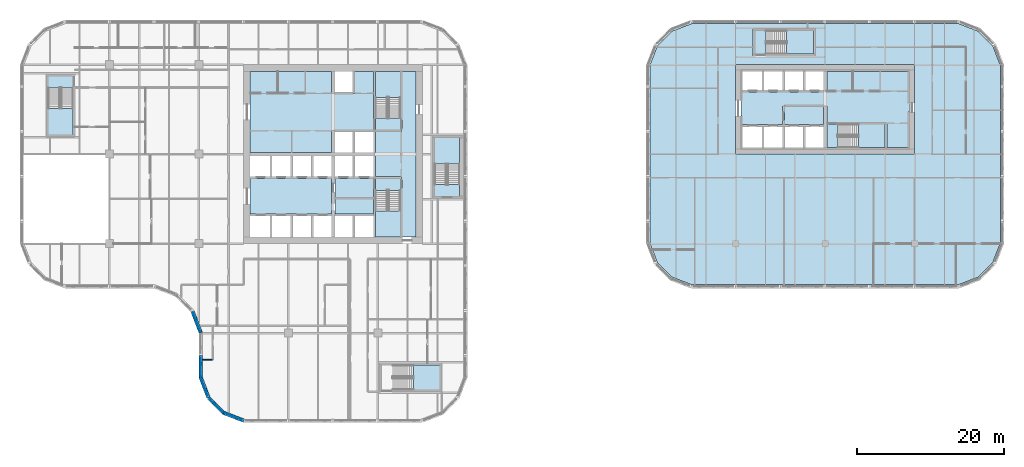
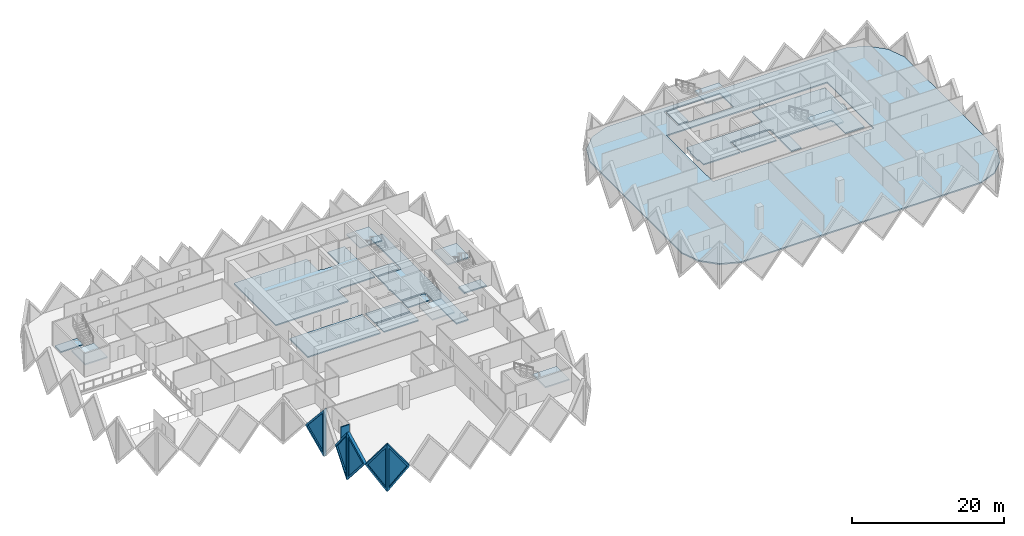
# One storey, part 3 of 18: 21 slabs, 6 walls, 5 plates, 5 openings, 7 elements without a shape of their own.
"""IFC4 building model written with IfcOpenShell, lengths in metres."""

import ifcopenshell
import ifcopenshell.guid

model = None  # the IFC model being written
_history = None  # IfcOwnerHistory: only IFC2X3 demands one
_inside = {}  # id of a spatial element -> (the spatial element, [elements in it])
_under = {}  # id of a project, library or spatial element -> (it, [spatial elements below it])
_declared = {}  # id of a project -> (the project, [libraries it declares])
_typed = {}  # id of a type object -> (the type object, [elements of that type])
_made_of = {}  # id of a material, layer set ... -> (it, [elements and type objects made of it])


def new_model(schema):
    """Start an empty IFC model of exactly this schema.

    Asked for "IFC4X3", IfcOpenShell would pick the latest addendum, in which some entities
    have other attributes; the version numbers below select the first issue.
    IFC2X3 requires an IfcOwnerHistory on every rooted entity: one is made here for all.
    """
    global model, _history
    if schema == "IFC4X3":
        model = ifcopenshell.file(schema_version=(4, 3, 0, 0))
    else:
        model = ifcopenshell.file(schema=schema)
    _inside.clear()
    _under.clear()
    _declared.clear()
    _typed.clear()
    _made_of.clear()
    _history = None
    if model.schema == "IFC2X3":
        org = make("IfcOrganization", Name="unknown")
        user = make(
            "IfcPersonAndOrganization",
            ThePerson=make("IfcPerson", FamilyName="unknown"),
            TheOrganization=org,
        )
        app = make(
            "IfcApplication",
            ApplicationDeveloper=org,
            Version="unknown",
            ApplicationFullName="unknown",
            ApplicationIdentifier="unknown",
        )
        _history = make(
            "IfcOwnerHistory",
            OwningUser=user,
            OwningApplication=app,
            ChangeAction="ADDED",
            CreationDate=0,
        )
    return model


def make(cls, **values):
    """One entity of the class cls with the attributes given. An attribute that is None is left unset."""
    return model.create_entity(
        cls, **{name: value for name, value in values.items() if value is not None}
    )


def rooted(cls, **values):
    """An entity with a GlobalId (a new one), such as an element, a storey or a relation."""
    return make(cls, GlobalId=ifcopenshell.guid.new(), OwnerHistory=_history, **values)


def si_unit(unit_type, name, prefix=None):
    """IfcSIUnit, for example si_unit("LENGTHUNIT", "METRE", prefix="MILLI")."""
    return make("IfcSIUnit", UnitType=unit_type, Prefix=prefix, Name=name)


def assignment(units):
    """IfcUnitAssignment: the units of a project."""
    return None if units is None else make("IfcUnitAssignment", Units=units)


def point(xyz):
    """IfcCartesianPoint."""
    return None if xyz is None else make("IfcCartesianPoint", Coordinates=xyz)


def direction(xyz):
    """IfcDirection."""
    return None if xyz is None else make("IfcDirection", DirectionRatios=xyz)


def frame(location, z_axis=None, x_axis=None):
    """IfcAxis2Placement3D, a coordinate frame: its origin and axes. An axis left out is left unset."""
    return make(
        "IfcAxis2Placement3D",
        Location=point(location),
        Axis=direction(z_axis),
        RefDirection=direction(x_axis),
    )


def frame_2d(location, x_axis=None):
    """IfcAxis2Placement2D, a coordinate frame in the plane: its origin and x axis."""
    return make(
        "IfcAxis2Placement2D", Location=point(location), RefDirection=direction(x_axis)
    )


def origin():
    """The frame at (0, 0, 0) with its axes left unset."""
    return frame((0.0, 0.0, 0.0))


def place(relative_to, where):
    """IfcLocalPlacement: puts the frame where relative to a parent placement (None: the world)."""
    return make(
        "IfcLocalPlacement", PlacementRelTo=relative_to, RelativePlacement=where
    )


def context(
    kind, dimensions, precision=None, world=None, true_north=None, identifier=None
):
    """IfcGeometricRepresentationContext, for example the 3D "Model" context."""
    return make(
        "IfcGeometricRepresentationContext",
        ContextIdentifier=identifier,
        ContextType=kind,
        CoordinateSpaceDimension=dimensions,
        Precision=precision,
        WorldCoordinateSystem=world,
        TrueNorth=true_north,
    )


def subcontext(parent, identifier, kind, view, scale=None):
    """IfcGeometricRepresentationSubContext, for example "Body" below "Model"."""
    return make(
        "IfcGeometricRepresentationSubContext",
        ContextIdentifier=identifier,
        ContextType=kind,
        ParentContext=parent,
        TargetScale=scale,
        TargetView=view,
    )


def project(units=None, contexts=None):
    """IfcProject with its units and contexts."""
    return rooted(
        "IfcProject",
        Name="project",
        RepresentationContexts=contexts,
        UnitsInContext=assignment(units),
    )


def spatial(cls, under=None, at=None, **own):
    """A site, building, storey or space (cls), placed at a placement, below another one or the project."""
    s = rooted(cls, ObjectPlacement=at, **own)
    if under is not None:
        _under.setdefault(under.id(), (under, []))[1].append(s)
    return s


def polyline(points):
    """IfcPolyline through the points."""
    return make("IfcPolyline", Points=[point(p) for p in points])


def profile(cls, at=None, kind="AREA", **sizes):
    """A parametric profile (cls). Its sizes go by their IFC names, for example OverallWidth=200.0."""
    return make(cls, ProfileType=kind, Position=at, **sizes)


def rectangle(**sizes):
    """IfcRectangleProfileDef."""
    return profile("IfcRectangleProfileDef", **sizes)


def outline(outer, holes=None, kind="AREA"):
    """IfcArbitraryClosedProfileDef: a profile drawn as a closed curve; with holes, ...WithVoids."""
    if holes is None:
        return make("IfcArbitraryClosedProfileDef", ProfileType=kind, OuterCurve=outer)
    return make(
        "IfcArbitraryProfileDefWithVoids",
        ProfileType=kind,
        OuterCurve=outer,
        InnerCurves=holes,
    )


def extrude(swept, where, along, depth):
    """IfcExtrudedAreaSolid: the profile swept, set in the frame where, extruded along a direction by depth."""
    return make(
        "IfcExtrudedAreaSolid",
        SweptArea=swept,
        Position=where,
        ExtrudedDirection=direction(along),
        Depth=depth,
    )


def faces_of(points, faces, orient=None, outer=None):
    """IfcFace entities. A face is a list of loops; a loop is a list of indices into points, from 0.

    orient and outer hold one flag for each loop. By default every Orientation is true, the
    first loop of a face is its IfcFaceOuterBound and the others are IfcFaceBound.
    """
    made = []
    for i, loops in enumerate(faces):
        bounds = []
        for j, loop in enumerate(loops):
            is_outer = j == 0 if outer is None else outer[i][j]
            bounds.append(
                make(
                    "IfcFaceOuterBound" if is_outer else "IfcFaceBound",
                    Bound=make("IfcPolyLoop", Polygon=[points[k] for k in loop]),
                    Orientation=True if orient is None else orient[i][j],
                )
            )
        made.append(make("IfcFace", Bounds=bounds))
    return made


def faceted_brep(points, faces, orient=None, outer=None, voids=None):
    """IfcFacetedBrep: a solid bounded by flat faces; with voids (closed shells), ...WithVoids."""
    shared = [point(p) for p in points]
    hull = make("IfcClosedShell", CfsFaces=faces_of(shared, faces, orient, outer))
    if voids is None:
        return make("IfcFacetedBrep", Outer=hull)
    return make(
        "IfcFacetedBrepWithVoids",
        Outer=hull,
        Voids=[
            make(cls, CfsFaces=faces_of(shared, fs, o, b)) for cls, fs, o, b in voids
        ],
    )


def shape(context_of_items, identifier, shape_type, items):
    """IfcShapeRepresentation: the items that make up one representation, for example the "Body"."""
    return make(
        "IfcShapeRepresentation",
        ContextOfItems=context_of_items,
        RepresentationIdentifier=identifier,
        RepresentationType=shape_type,
        Items=items,
    )


def source(mapping_origin, context_of_items, identifier, shape_type, items):
    """IfcRepresentationMap: a shape defined once, which mapped items show again and again."""
    return make(
        "IfcRepresentationMap",
        MappingOrigin=mapping_origin,
        MappedRepresentation=shape(context_of_items, identifier, shape_type, items),
    )


def transform(
    local_origin,
    x_axis=None,
    y_axis=None,
    z_axis=None,
    scale=None,
    scale2=None,
    scale3=None,
    uniform=True,
):
    """IfcCartesianTransformationOperator3D, or its non-uniform kind. x_axis, y_axis, z_axis: its Axis1, 2, 3."""
    if uniform:
        return make(
            "IfcCartesianTransformationOperator3D",
            Axis1=direction(x_axis),
            Axis2=direction(y_axis),
            LocalOrigin=point(local_origin),
            Scale=scale,
            Axis3=direction(z_axis),
        )
    return make(
        "IfcCartesianTransformationOperator3DnonUniform",
        Axis1=direction(x_axis),
        Axis2=direction(y_axis),
        LocalOrigin=point(local_origin),
        Scale=scale,
        Axis3=direction(z_axis),
        Scale2=scale2,
        Scale3=scale3,
    )


def mapped(mapping_source, mapping_target):
    """IfcMappedItem: shows the shape of a source again, moved by a transform."""
    return make(
        "IfcMappedItem", MappingSource=mapping_source, MappingTarget=mapping_target
    )


def material(Name=None, Category=None):
    """IfcMaterial."""
    return make("IfcMaterial", Name=Name, Category=Category)


def layer(
    of_material, thickness, ventilated=None, Name=None, Category=None, Priority=None
):
    """IfcMaterialLayer: one layer of a wall or slab, of a material (None: an air gap)."""
    return make(
        "IfcMaterialLayer",
        Material=of_material,
        LayerThickness=thickness,
        IsVentilated=ventilated,
        Name=Name,
        Category=Category,
        Priority=Priority,
    )


def layer_set(layers, Name=None):
    """IfcMaterialLayerSet."""
    return make("IfcMaterialLayerSet", MaterialLayers=layers, LayerSetName=Name)


def made_of(thing, what):
    """Note that an element or type object is made of a material, layer set ...; save() writes the relation."""
    if what is not None:
        _made_of.setdefault(what.id(), (what, []))[1].append(thing)
    return thing


def type_object(cls, material=None, **own):
    """A type object (cls), such as IfcWallType, which elements share."""
    return made_of(rooted(cls, **own), material)


def element(
    cls,
    number,
    at=None,
    inside=None,
    cuts=None,
    type_object=None,
    material=None,
    context=None,
    identifier="Body",
    shape_type=None,
    held_by="IfcProductDefinitionShape",
    body=None,
    shapes=None,
    **own,
):
    """One element of the class cls, such as IfcWall. Its Tag is "e" and its number.

    at: its placement. inside: the storey or other place that contains it. cuts: it is an
    opening in that element (IfcRelVoidsElement). A single representation is given by context,
    identifier, shape_type and body (its items); several are given by shapes. held_by: the class
    of the entity that holds the representations. save() writes the other relations.
    """
    e = rooted(cls, Tag="e%d" % number, ObjectPlacement=at, **own)
    if body is not None:
        shapes = [shape(context, identifier, shape_type, body)]
    if shapes is not None:
        e.Representation = make(held_by, Representations=shapes)
    if inside is not None:
        _inside.setdefault(inside.id(), (inside, []))[1].append(e)
    if cuts is not None:
        rooted(
            "IfcRelVoidsElement", RelatingBuildingElement=cuts, RelatedOpeningElement=e
        )
    if type_object is not None:
        _typed.setdefault(type_object.id(), (type_object, []))[1].append(e)
    return made_of(e, material)


def fill(opening, filler):
    """IfcRelFillsElement: the door or window that sits in an opening."""
    return rooted(
        "IfcRelFillsElement",
        RelatingOpeningElement=opening,
        RelatedBuildingElement=filler,
    )


def aggregate(whole, parts):
    """IfcRelAggregates: a whole, such as a stair, and the parts it consists of."""
    return rooted("IfcRelAggregates", RelatingObject=whole, RelatedObjects=parts)


def save(model, path):
    """Write the relations noted so far, then the file.

    IfcRelAggregates (storeys below a building ...), IfcRelContainedInSpatialStructure (elements
    in a storey), IfcRelDefinesByType, IfcRelAssociatesMaterial and IfcRelDeclares: one each for
    every whole, place, type object, material and project.
    """
    for whole, parts in _under.values():
        aggregate(whole, parts)
    for where, things in _inside.values():
        rooted(
            "IfcRelContainedInSpatialStructure",
            RelatedElements=things,
            RelatingStructure=where,
        )
    for kind, things in _typed.values():
        rooted("IfcRelDefinesByType", RelatedObjects=things, RelatingType=kind)
    for what, things in _made_of.values():
        rooted("IfcRelAssociatesMaterial", RelatedObjects=things, RelatingMaterial=what)
    for by, libraries in _declared.values():
        rooted("IfcRelDeclares", RelatingContext=by, RelatedDefinitions=libraries)
    model.write(path)


model = new_model("IFC4")

# Units and contexts
model_context = context("Model", 3, precision=1e-05, world=origin(), true_north=direction((0.0, 1.0)))
body_context = subcontext(model_context, "Body", "Model", "MODEL_VIEW")
ifc_project = project(units=[si_unit("LENGTHUNIT", "METRE"), si_unit("AREAUNIT", "SQUARE_METRE"), si_unit("VOLUMEUNIT", "CUBIC_METRE"), si_unit("PLANEANGLEUNIT", "RADIAN"), si_unit("MASSUNIT", "GRAM", prefix="KILO")], contexts=[model_context])

# Site, building, storey
site_placement = place(None, origin())
site = spatial("IfcSite", under=ifc_project, at=site_placement, CompositionType="ELEMENT")
building_placement = place(site_placement, origin())
building = spatial("IfcBuilding", under=site, at=building_placement, Name="Tessera Gate Towers", CompositionType="ELEMENT")
storey_placement = place(building_placement, frame((0.0, 0.0, 37.199951171875)))
storey = spatial("IfcBuildingStorey", under=building, at=storey_placement, Name="L08", CompositionType="ELEMENT", Elevation=37.199951171875)

# Slabs
ifc_material_1 = material(Name="Concrete C35/45", Category="concrete")
ifc_layer_1 = layer(ifc_material_1, 0.199951171875)
ifc_layer_set_1 = layer_set([ifc_layer_1], Name="COMPOSITE FLOOR 200")
slab_type_1 = type_object("IfcSlabType", Name="COMPOSITE FLOOR 200", PredefinedType="FLOOR", material=ifc_layer_set_1)
slab_1_placement = place(storey_placement, frame((0.0, 0.0, -0.199951171875)))
element("IfcSlab", 1, at=slab_1_placement, inside=storey, type_object=slab_type_1, Name="T2-L08", PredefinedType="FLOOR", context=body_context, shape_type="SweptSolid", body=[
    extrude(outline(polyline([(85.89990234375, 24.4931640625), (86.926025390625, 21.8330078125), (88.93310546875, 19.826171875), (91.593017578125, 18.800048828125), (128.0068359375, 18.800048828125), (130.6669921875, 19.826171875), (132.673828125, 21.8330078125), (133.699951171875, 24.4931640625), (133.699951171875, 48.706787109375), (132.673828125, 51.366943359375), (130.6669921875, 53.373779296875), (128.0068359375, 54.39990234375), (91.593017578125, 54.39990234375), (88.93310546875, 53.373779296875), (86.926025390625, 51.366943359375), (85.89990234375, 48.706787109375), (85.89990234375, 24.4931640625)]), holes=[polyline([(97.60009765625, 36.60009765625), (97.60009765625, 48.800048828125), (122.0, 48.800048828125), (122.0, 36.60009765625), (97.60009765625, 36.60009765625)]), polyline([(100.0, 50.0), (100.0, 53.699951171875), (108.5, 53.699951171875), (108.5, 50.0), (100.0, 50.0)])]), origin(), (0.0, 0.0, 1.0), 0.199951171875),
])
ifc_material_2 = material(Name="Concrete C35/45", Category="concrete")
ifc_layer_2 = layer(ifc_material_2, 0.199951171875)
ifc_layer_set_2 = layer_set([ifc_layer_2], Name="CORE FLOOR SLAB 200")
slab_type_2 = type_object("IfcSlabType", Name="CORE FLOOR SLAB 200", PredefinedType="FLOOR", material=ifc_layer_set_2)
slab_2_placement = place(storey_placement, frame((0.0, 0.0, -0.199951171875)))
element("IfcSlab", 2, at=slab_2_placement, inside=storey, type_object=slab_type_2, Name="L08 core floor slab", PredefinedType="FLOOR", context=body_context, shape_type="SweptSolid", body=[
    extrude(outline(polyline([(31.39990234375, 47.89990234375), (31.39990234375, 36.85009765625), (42.449951171875, 36.85009765625), (42.449951171875, 39.800048828125), (42.949951171875, 39.800048828125), (42.949951171875, 39.925048828125), (48.22509765625, 39.925048828125), (48.22509765625, 47.89990234375), (45.64990234375, 47.89990234375), (45.64990234375, 44.89990234375), (45.39990234375, 44.89990234375), (45.39990234375, 44.77490234375), (42.949951171875, 44.77490234375), (42.949951171875, 44.89990234375), (42.449951171875, 44.89990234375), (42.449951171875, 47.89990234375), (31.39990234375, 47.89990234375)])), origin(), (0.0, 0.0, 1.0), 0.199951171875),
])
slab_3_placement = place(storey_placement, frame((0.0, 0.0, -0.199951171875)))
element("IfcSlab", 3, at=slab_3_placement, inside=storey, type_object=slab_type_2, Name="L08 core floor slab", PredefinedType="FLOOR", context=body_context, shape_type="SweptSolid", body=[
    extrude(outline(polyline([(48.35009765625, 36.85009765625), (48.35009765625, 36.35009765625), (48.47509765625, 36.35009765625), (48.47509765625, 33.52490234375), (52.0, 33.52490234375), (52.0, 33.27490234375), (52.125, 33.27490234375), (52.125, 25.300048828125), (54.0, 25.300048828125), (54.0, 47.89990234375), (52.125, 47.89990234375), (52.125, 39.925048828125), (52.0, 39.925048828125), (52.0, 39.675048828125), (48.47509765625, 39.675048828125), (48.47509765625, 36.85009765625), (48.35009765625, 36.85009765625)])), origin(), (0.0, 0.0, 1.0), 0.199951171875),
])
slab_4_placement = place(storey_placement, frame((0.0, 0.0, -0.199951171875)))
element("IfcSlab", 4, at=slab_4_placement, inside=storey, type_object=slab_type_2, Name="L08 core floor slab", PredefinedType="FLOOR", context=body_context, shape_type="SweptSolid", body=[
    extrude(outline(polyline([(42.449951171875, 28.425048828125), (42.449951171875, 33.27490234375), (31.39990234375, 33.27490234375), (31.39990234375, 28.425048828125), (42.449951171875, 28.425048828125)])), origin(), (0.0, 0.0, 1.0), 0.199951171875),
])
slab_5_placement = place(storey_placement, frame((0.0, 0.0, -0.199951171875)))
element("IfcSlab", 5, at=slab_5_placement, inside=storey, type_object=slab_type_2, Name="L08 core floor slab", PredefinedType="FLOOR", context=body_context, shape_type="SweptSolid", body=[
    extrude(outline(polyline([(42.949951171875, 33.27490234375), (42.949951171875, 30.72509765625), (48.22509765625, 30.72509765625), (48.22509765625, 33.27490234375), (42.949951171875, 33.27490234375)])), origin(), (0.0, 0.0, 1.0), 0.199951171875),
])
slab_6_placement = place(storey_placement, frame((0.0, 0.0, -0.199951171875)))
element("IfcSlab", 6, at=slab_6_placement, inside=storey, type_object=slab_type_2, Name="L08 core floor slab", PredefinedType="FLOOR", context=body_context, shape_type="SweptSolid", body=[
    extrude(outline(polyline([(42.949951171875, 30.47509765625), (42.949951171875, 28.425048828125), (48.22509765625, 28.425048828125), (48.22509765625, 30.47509765625), (42.949951171875, 30.47509765625)])), origin(), (0.0, 0.0, 1.0), 0.199951171875),
])
slab_7_placement = place(storey_placement, frame((0.0, 0.0, -0.199951171875)))
element("IfcSlab", 7, at=slab_7_placement, inside=storey, type_object=slab_type_2, Name="L08 core floor slab", PredefinedType="FLOOR", context=body_context, shape_type="SweptSolid", body=[
    extrude(outline(polyline([(51.875, 31.675048828125), (51.875, 33.27490234375), (48.47509765625, 33.27490234375), (48.47509765625, 31.675048828125), (51.875, 31.675048828125)])), origin(), (0.0, 0.0, 1.0), 0.199951171875),
])
slab_8_placement = place(storey_placement, frame((0.0, 0.0, -0.199951171875)))
element("IfcSlab", 8, at=slab_8_placement, inside=storey, type_object=slab_type_2, Name="L08 core floor slab", PredefinedType="FLOOR", context=body_context, shape_type="SweptSolid", body=[
    extrude(outline(polyline([(48.47509765625, 41.52490234375), (48.47509765625, 39.925048828125), (51.875, 39.925048828125), (51.875, 41.52490234375), (48.47509765625, 41.52490234375)])), origin(), (0.0, 0.0, 1.0), 0.199951171875),
])
slab_9_placement = place(storey_placement, frame((0.0, 0.0, -0.199951171875)))
element("IfcSlab", 9, at=slab_9_placement, inside=storey, type_object=slab_type_2, Name="L08 ST3 floor landing", PredefinedType="FLOOR", context=body_context, shape_type="SweptSolid", body=[
    extrude(outline(polyline([(3.85009765625, 47.25), (3.85009765625, 45.64990234375), (7.25, 45.64990234375), (7.25, 47.25), (3.85009765625, 47.25)])), origin(), (0.0, 0.0, 1.0), 0.199951171875),
])
slab_10_placement = place(storey_placement, frame((0.0, 0.0, -0.199951171875)))
element("IfcSlab", 10, at=slab_10_placement, inside=storey, type_object=slab_type_2, Name="L08 ST5 floor landing", PredefinedType="FLOOR", context=body_context, shape_type="SweptSolid", body=[
    extrude(outline(polyline([(59.949951171875, 30.85009765625), (59.949951171875, 32.449951171875), (56.550048828125, 32.449951171875), (56.550048828125, 30.85009765625), (59.949951171875, 30.85009765625)])), origin(), (0.0, 0.0, 1.0), 0.199951171875),
])
slab_11_placement = place(storey_placement, frame((0.0, 0.0, -0.199951171875)))
element("IfcSlab", 11, at=slab_11_placement, inside=storey, type_object=slab_type_2, Name="L08 core floor slab", PredefinedType="FLOOR", context=body_context, shape_type="SweptSolid", body=[
    extrude(outline(polyline([(109.550048828125, 45.199951171875), (109.550048828125, 45.074951171875), (98.5, 45.074951171875), (98.5, 43.89990234375), (98.300048828125, 43.89990234375), (98.300048828125, 41.800048828125), (98.5, 41.800048828125), (98.5, 40.625), (104.02490234375, 40.625), (104.02490234375, 43.199951171875), (104.27490234375, 43.199951171875), (104.27490234375, 43.324951171875), (109.550048828125, 43.324951171875), (109.550048828125, 43.199951171875), (110.050048828125, 43.199951171875), (110.050048828125, 40.949951171875), (118.10009765625, 40.949951171875), (118.10009765625, 40.699951171875), (118.22509765625, 40.699951171875), (118.22509765625, 37.5), (121.10009765625, 37.5), (121.10009765625, 42.35009765625), (121.300048828125, 42.35009765625), (121.300048828125, 43.550048828125), (121.10009765625, 43.550048828125), (121.10009765625, 47.89990234375), (110.050048828125, 47.89990234375), (110.050048828125, 45.199951171875), (109.550048828125, 45.199951171875)])), origin(), (0.0, 0.0, 1.0), 0.199951171875),
])
slab_12_placement = place(storey_placement, frame((0.0, 0.0, -0.199951171875)))
element("IfcSlab", 12, at=slab_12_placement, inside=storey, type_object=slab_type_2, Name="L08 core floor slab", PredefinedType="FLOOR", context=body_context, shape_type="SweptSolid", body=[
    extrude(outline(polyline([(109.550048828125, 43.074951171875), (104.27490234375, 43.074951171875), (104.27490234375, 40.625), (109.550048828125, 40.625), (109.550048828125, 43.074951171875)])), origin(), (0.0, 0.0, 1.0), 0.199951171875),
])
slab_13_placement = place(storey_placement, frame((0.0, 0.0, -0.199951171875)))
element("IfcSlab", 13, at=slab_13_placement, inside=storey, type_object=slab_type_2, Name="L08 core floor slab", PredefinedType="FLOOR", context=body_context, shape_type="SweptSolid", body=[
    extrude(outline(polyline([(111.550048828125, 37.5), (111.550048828125, 40.699951171875), (110.050048828125, 40.699951171875), (110.050048828125, 37.5), (111.550048828125, 37.5)])), origin(), (0.0, 0.0, 1.0), 0.199951171875),
])
slab_14_placement = place(storey_placement, frame((0.0, 0.0, -0.199951171875)))
element("IfcSlab", 14, at=slab_14_placement, inside=storey, type_object=slab_type_2, Name="L08 ST7 floor landing", PredefinedType="FLOOR", context=body_context, shape_type="SweptSolid", body=[
    extrude(outline(polyline([(100.25, 50.25), (101.75, 50.25), (101.75, 53.449951171875), (100.25, 53.449951171875), (100.25, 50.25)])), origin(), (0.0, 0.0, 1.0), 0.199951171875),
])

# Stair, slab
ifc_material_3 = material(Name="Concrete C40/50", Category="concrete")
stair_type_1 = type_object("IfcStairType", Name="EXIT STAIR ST1 1600", PredefinedType="HALF_TURN_STAIR", material=ifc_material_3)
stair_1_placement = place(storey_placement, origin())
stair_1 = element("IfcStair", 15, at=stair_1_placement, inside=storey, type_object=stair_type_1, Name="L08 Protected Exit Stair ST1", PredefinedType="HALF_TURN_STAIR")
ifc_material_4 = material(Name="Concrete C40/50", Category="concrete")
ifc_layer_3 = layer(ifc_material_4, 0.199951171875)
ifc_layer_set_3 = layer_set([ifc_layer_3], Name="EXIT STAIR LANDING 200")
slab_type_3 = type_object("IfcSlabType", Name="EXIT STAIR LANDING 200", PredefinedType="LANDING", material=ifc_layer_set_3)
slab_15_placement = place(storey_placement, frame((0.0, 0.0, 1.699951171875)))
slab_15 = element("IfcSlab", 16, at=slab_15_placement, type_object=slab_type_3, Name="ST1 landing 1", PredefinedType="LANDING", context=body_context, shape_type="SweptSolid", body=[
    extrude(outline(polyline([(48.47509765625, 28.875), (48.47509765625, 25.300048828125), (51.875, 25.300048828125), (51.875, 28.875), (48.47509765625, 28.875)])), origin(), (0.0, 0.0, 1.0), 0.2001953125),
])
aggregate(stair_1, [slab_15])

ifc_material_5 = material(Name="Concrete C40/50", Category="concrete")
stair_type_2 = type_object("IfcStairType", Name="EXIT STAIR ST2 1600", PredefinedType="HALF_TURN_STAIR", material=ifc_material_5)
stair_2_placement = place(storey_placement, origin())
stair_2 = element("IfcStair", 17, at=stair_2_placement, inside=storey, type_object=stair_type_2, Name="L08 Protected Exit Stair ST2", PredefinedType="HALF_TURN_STAIR")
slab_16_placement = place(storey_placement, frame((0.0, 0.0, 1.699951171875)))
slab_16 = element("IfcSlab", 18, at=slab_16_placement, type_object=slab_type_3, Name="ST2 landing 1", PredefinedType="LANDING", context=body_context, shape_type="SweptSolid", body=[
    extrude(outline(polyline([(51.875, 44.324951171875), (51.875, 47.89990234375), (48.47509765625, 47.89990234375), (48.47509765625, 44.324951171875), (51.875, 44.324951171875)])), origin(), (0.0, 0.0, 1.0), 0.2001953125),
])
aggregate(stair_2, [slab_16])

ifc_material_6 = material(Name="Concrete C40/50", Category="concrete")
stair_type_3 = type_object("IfcStairType", Name="EXIT STAIR ST3 1600", PredefinedType="HALF_TURN_STAIR", material=ifc_material_6)
stair_3_placement = place(storey_placement, origin())
stair_3 = element("IfcStair", 19, at=stair_3_placement, inside=storey, type_object=stair_type_3, Name="L08 West Exit Stair ST3", PredefinedType="HALF_TURN_STAIR")
slab_17_placement = place(storey_placement, frame((0.0, 0.0, 1.699951171875)))
slab_17 = element("IfcSlab", 20, at=slab_17_placement, type_object=slab_type_3, Name="ST3 landing 1", PredefinedType="LANDING", context=body_context, shape_type="SweptSolid", body=[
    extrude(outline(polyline([(3.85009765625, 42.85009765625), (3.85009765625, 39.25), (7.25, 39.25), (7.25, 42.85009765625), (3.85009765625, 42.85009765625)])), origin(), (0.0, 0.0, 1.0), 0.2001953125),
])
aggregate(stair_3, [slab_17])

ifc_material_7 = material(Name="Concrete C40/50", Category="concrete")
stair_type_4 = type_object("IfcStairType", Name="EXIT STAIR ST4 1600", PredefinedType="HALF_TURN_STAIR", material=ifc_material_7)
stair_4_placement = place(storey_placement, origin())
stair_4 = element("IfcStair", 21, at=stair_4_placement, inside=storey, type_object=stair_type_4, Name="L08 South Exit Stair ST4", PredefinedType="HALF_TURN_STAIR")
slab_18_placement = place(storey_placement, frame((0.0, 0.0, 1.699951171875)))
slab_18 = element("IfcSlab", 22, at=slab_18_placement, type_object=slab_type_3, Name="ST4 landing 1", PredefinedType="LANDING", context=body_context, shape_type="SweptSolid", body=[
    extrude(outline(polyline([(53.64990234375, 4.449951171875), (57.25, 4.449951171875), (57.25, 7.85009765625), (53.64990234375, 7.85009765625), (53.64990234375, 4.449951171875)])), origin(), (0.0, 0.0, 1.0), 0.2001953125),
])
aggregate(stair_4, [slab_18])

ifc_material_8 = material(Name="Concrete C40/50", Category="concrete")
stair_type_5 = type_object("IfcStairType", Name="EXIT STAIR ST5 1600", PredefinedType="HALF_TURN_STAIR", material=ifc_material_8)
stair_5_placement = place(storey_placement, origin())
stair_5 = element("IfcStair", 23, at=stair_5_placement, inside=storey, type_object=stair_type_5, Name="L08 East Exit Stair ST5", PredefinedType="HALF_TURN_STAIR")
slab_19_placement = place(storey_placement, frame((0.0, 0.0, 1.699951171875)))
slab_19 = element("IfcSlab", 24, at=slab_19_placement, type_object=slab_type_3, Name="ST5 landing 1", PredefinedType="LANDING", context=body_context, shape_type="SweptSolid", body=[
    extrude(outline(polyline([(59.949951171875, 35.25), (59.949951171875, 38.85009765625), (56.550048828125, 38.85009765625), (56.550048828125, 35.25), (59.949951171875, 35.25)])), origin(), (0.0, 0.0, 1.0), 0.2001953125),
])
aggregate(stair_5, [slab_19])

ifc_material_9 = material(Name="Concrete C40/50", Category="concrete")
stair_type_6 = type_object("IfcStairType", Name="EXIT STAIR ST6 1500", PredefinedType="HALF_TURN_STAIR", material=ifc_material_9)
stair_6_placement = place(storey_placement, origin())
stair_6 = element("IfcStair", 25, at=stair_6_placement, inside=storey, type_object=stair_type_6, Name="L08 Protected Exit Stair ST6", PredefinedType="HALF_TURN_STAIR")
slab_20_placement = place(storey_placement, frame((0.0, 0.0, 1.699951171875)))
slab_20 = element("IfcSlab", 26, at=slab_20_placement, type_object=slab_type_3, Name="ST6 landing 1", PredefinedType="LANDING", context=body_context, shape_type="SweptSolid", body=[
    extrude(outline(polyline([(114.35009765625, 37.5), (117.97509765625, 37.5), (117.97509765625, 40.699951171875), (114.35009765625, 40.699951171875), (114.35009765625, 37.5)])), origin(), (0.0, 0.0, 1.0), 0.2001953125),
])
aggregate(stair_6, [slab_20])

ifc_material_10 = material(Name="Concrete C40/50", Category="concrete")
stair_type_7 = type_object("IfcStairType", Name="EXIT STAIR ST7 1500", PredefinedType="HALF_TURN_STAIR", material=ifc_material_10)
stair_7_placement = place(storey_placement, origin())
stair_7 = element("IfcStair", 27, at=stair_7_placement, inside=storey, type_object=stair_type_7, Name="L08 North Exit Stair ST7", PredefinedType="HALF_TURN_STAIR")
slab_21_placement = place(storey_placement, frame((0.0, 0.0, 1.699951171875)))
slab_21 = element("IfcSlab", 28, at=slab_21_placement, type_object=slab_type_3, Name="ST7 landing 1", PredefinedType="LANDING", context=body_context, shape_type="SweptSolid", body=[
    extrude(outline(polyline([(104.550048828125, 50.25), (108.25, 50.25), (108.25, 53.449951171875), (104.550048828125, 53.449951171875), (104.550048828125, 50.25)])), origin(), (0.0, 0.0, 1.0), 0.2001953125),
])
aggregate(stair_7, [slab_21])

# Wall
ifc_material_11 = material(Name="Gypsum board on steel studs, mineral wool", Category="steel")
ifc_layer_4 = layer(ifc_material_11, 0.14990234375)
ifc_layer_set_4 = layer_set([ifc_layer_4], Name="TENANCY WALL 150")
wall_type_1 = type_object("IfcWallType", Name="TENANCY WALL 150", PredefinedType="PARTITIONING", material=ifc_layer_set_4)
wall_1_placement = place(storey_placement, frame((24.89990234375, 8.548095703125, 0.0), z_axis=(0.0, 0.0, 1.0), x_axis=(1.0, 0.0, 0.0)))
element("IfcWall", 29, at=wall_1_placement, inside=storey, type_object=wall_type_1, Name="T1-L08-PW-006", PredefinedType="PARTITIONING", context=body_context, shape_type="SweptSolid", body=[
    extrude(rectangle(XDim=1.299072265625, YDim=0.14990234375, at=frame_2d((0.6494140625, 0.0))), origin(), (0.0, 0.0, 1.0), 3.067138671875),
])

# Wall, opening, plate
ifc_material_12 = material(Name="Precast concrete C60/75 white", Category="concrete")
ifc_layer_5 = layer(ifc_material_12, 0.5)
ifc_layer_set_5 = layer_set([ifc_layer_5], Name="TS3 corner tessera")
wall_type_2 = type_object("IfcWallType", Name="TS3 corner tessera", PredefinedType="SOLIDWALL", material=ifc_layer_set_5)
shared_shape_1 = source(origin(), body_context, "Body", "Brep", [
    faceted_brep([(3.00341796875, -0.25, 0.0), (3.050048828125, -0.25, 0.06005859375), (3.050048828125, -0.25, 7.5400390625), (3.00341796875, -0.25, 7.60009765625), (0.0, -0.25, 3.800048828125), (0.0, 0.25, 3.800048828125), (2.956787109375, 0.25, 7.541259765625), (2.956787109375, 0.25, 0.058837890625), (3.00341796875, 0.000244140625, 0.0), (3.00341796875, 0.000244140625, 7.60009765625)], [[[0, 1, 2, 3, 4]], [[5, 6, 7]], [[1, 0, 8]], [[9, 3, 2]], [[6, 5, 4, 3, 9]], [[5, 7, 8, 0, 4]], [[1, 8, 7, 6, 9, 2]]]),
])
wall_2_placement = place(storey_placement, frame((24.64990234375, 9.14990234375, -3.800048828125), z_axis=(0.0, 0.0, 1.0), x_axis=(0.0, -1.0, 0.0)))
wall_2 = element("IfcWall", 30, at=wall_2_placement, inside=storey, type_object=wall_type_2, Name="Precast corner tessera T1 TS3-0165", PredefinedType="SOLIDWALL", context=body_context, shape_type="MappedRepresentation", body=[
    mapped(shared_shape_1, transform((0.0, 0.0, 0.0), scale=1.0)),
])
shared_shape_2 = source(origin(), body_context, "Body", "SweptSolid", [
    extrude(outline(polyline([(2.803466796875, 6.94384765625), (0.318603515625, 3.800048828125), (2.803466796875, 0.65625), (2.803466796875, 6.94384765625)])), frame((0.0, 0.260009765625, 0.0), z_axis=(0.0, -1.0, 0.0), x_axis=(1.0, 0.0, 0.0)), (0.0, 0.0, 1.0), 0.52001953125),
])
opening_1_placement = place(wall_2_placement, origin())
opening_1 = element("IfcOpeningElement", 31, at=opening_1_placement, cuts=wall_2, Name="Opening T1-PL2-0184", PredefinedType="OPENING", context=body_context, shape_type="MappedRepresentation", body=[
    mapped(shared_shape_2, transform((0.0, 0.0, 0.0), scale=1.0)),
])
ifc_material_13 = material(Name="Low-e laminated glass", Category="glass")
ifc_layer_6 = layer(ifc_material_13, 0.06005859375)
ifc_layer_set_6 = layer_set([ifc_layer_6], Name="PL2 rhombic pane")
plate_type = type_object("IfcPlateType", Name="PL2 rhombic pane", PredefinedType="SHEET", material=ifc_layer_set_6)
shared_shape_3 = source(origin(), body_context, "Body", "SweptSolid", [
    extrude(outline(polyline([(2.803466796875, 6.94384765625), (0.318603515625, 3.800048828125), (2.803466796875, 0.65625), (2.803466796875, 6.94384765625)])), frame((0.0, 0.030029296875, 0.0), z_axis=(0.0, -1.0, 0.0), x_axis=(1.0, 0.0, 0.0)), (0.0, 0.0, 1.0), 0.06005859375),
])
plate_1_placement = place(opening_1_placement, origin())
plate_1 = element("IfcPlate", 32, at=plate_1_placement, inside=storey, type_object=plate_type, Name="Glass pane T1 PL2-0184", PredefinedType="SHEET", context=body_context, shape_type="MappedRepresentation", body=[
    mapped(shared_shape_3, transform((0.0, 0.0, 0.0), scale=1.0)),
])
fill(opening_1, plate_1)

shared_shape_4 = source(origin(), body_context, "Body", "Brep", [
    faceted_brep([(0.046630859375, -0.25, 0.0), (2.9970703125, -0.25, 3.800048828125), (0.046630859375, -0.25, 7.60009765625), (0.0, -0.25, 7.541259765625), (0.0, -0.25, 0.058837890625), (0.09326171875, 0.25, 7.5400390625), (2.9443359375, 0.25, 3.8681640625), (2.9443359375, 0.25, 3.73193359375), (0.09326171875, 0.25, 0.06005859375), (2.9970703125, 0.00048828125, 3.800048828125), (0.046630859375, 0.0, 0.0), (0.046630859375, 0.0, 7.60009765625)], [[[0, 1, 2, 3, 4]], [[5, 6, 7, 8]], [[8, 7, 9, 1, 0, 10]], [[6, 5, 11, 2, 1, 9]], [[3, 2, 11]], [[10, 0, 4]], [[8, 10, 4, 3, 11, 5]], [[9, 7, 6]]]),
])
wall_3_placement = place(storey_placement, frame((24.63330078125, 6.18994140625, -3.800048828125), z_axis=(0.0, 0.0, 1.0), x_axis=(0.359901446078, -0.932990326376, 0.0)))
wall_3 = element("IfcWall", 33, at=wall_3_placement, inside=storey, type_object=wall_type_2, Name="Precast corner tessera T1 TS3-0166", PredefinedType="SOLIDWALL", context=body_context, shape_type="MappedRepresentation", body=[
    mapped(shared_shape_4, transform((0.0, 0.0, 0.0), scale=1.0)),
])
shared_shape_5 = source(origin(), body_context, "Body", "SweptSolid", [
    extrude(outline(polyline([(0.24658203125, 0.665283203125), (2.6806640625, 3.800048828125), (0.24658203125, 6.934814453125), (0.24658203125, 0.665283203125)])), frame((0.0, 0.260009765625, 0.0), z_axis=(0.0, -1.0, 0.0), x_axis=(1.0, 0.0, 0.0)), (0.0, 0.0, 1.0), 0.52001953125),
])
opening_2_placement = place(wall_3_placement, origin())
opening_2 = element("IfcOpeningElement", 34, at=opening_2_placement, cuts=wall_3, Name="Opening T1-PL2-0185", PredefinedType="OPENING", context=body_context, shape_type="MappedRepresentation", body=[
    mapped(shared_shape_5, transform((0.0, 0.0, 0.0), scale=1.0)),
])
shared_shape_6 = source(origin(), body_context, "Body", "SweptSolid", [
    extrude(outline(polyline([(0.24658203125, 0.665283203125), (2.6806640625, 3.800048828125), (0.24658203125, 6.934814453125), (0.24658203125, 0.665283203125)])), frame((0.0, 0.030029296875, 0.0), z_axis=(0.0, -1.0, 0.0), x_axis=(1.0, 0.0, 0.0)), (0.0, 0.0, 1.0), 0.06005859375),
])
plate_2_placement = place(opening_2_placement, origin())
plate_2 = element("IfcPlate", 35, at=plate_2_placement, inside=storey, type_object=plate_type, Name="Glass pane T1 PL2-0185", PredefinedType="SHEET", context=body_context, shape_type="MappedRepresentation", body=[
    mapped(shared_shape_6, transform((0.0, 0.0, 0.0), scale=1.0)),
])
fill(opening_2, plate_2)

shared_shape_7 = source(origin(), body_context, "Body", "Brep", [
    faceted_brep([(0.052978515625, -0.25, 0.0), (3.00341796875, -0.25, 3.800048828125), (0.052978515625, -0.25, 7.60009765625), (0.0, -0.25, 7.53173828125), (0.0, -0.25, 0.068359375), (0.10595703125, 0.25, 7.531982421875), (2.95703125, 0.25, 3.85986328125), (2.95703125, 0.25, 3.740234375), (0.10595703125, 0.25, 0.068115234375), (3.00341796875, 0.00048828125, 3.800048828125), (0.052978515625, 0.0, 0.0), (0.052978515625, 0.0, 7.60009765625)], [[[0, 1, 2, 3, 4]], [[5, 6, 7, 8]], [[8, 7, 9, 1, 0, 10]], [[6, 5, 11, 2, 1, 9]], [[3, 2, 11]], [[10, 0, 4]], [[8, 10, 4, 3, 11, 5]], [[9, 7, 6]]]),
])
wall_4_placement = place(storey_placement, frame((27.744384765625, 1.3310546875, -3.800048828125), z_axis=(0.0, 0.0, 1.0), x_axis=(0.932970071518, -0.359953949349, 0.0)))
wall_4 = element("IfcWall", 36, at=wall_4_placement, inside=storey, type_object=wall_type_2, Name="Precast corner tessera T1 TS3-0168", PredefinedType="SOLIDWALL", context=body_context, shape_type="MappedRepresentation", body=[
    mapped(shared_shape_7, transform((0.0, 0.0, 0.0), scale=1.0)),
])
shared_shape_8 = source(origin(), body_context, "Body", "SweptSolid", [
    extrude(outline(polyline([(0.2529296875, 0.665283203125), (2.68701171875, 3.800048828125), (0.2529296875, 6.934814453125), (0.2529296875, 0.665283203125)])), frame((0.0, 0.260009765625, 0.0), z_axis=(0.0, -1.0, 0.0), x_axis=(1.0, 0.0, 0.0)), (0.0, 0.0, 1.0), 0.52001953125),
])
opening_3_placement = place(wall_4_placement, origin())
opening_3 = element("IfcOpeningElement", 37, at=opening_3_placement, cuts=wall_4, Name="Opening T1-PL2-0187", PredefinedType="OPENING", context=body_context, shape_type="MappedRepresentation", body=[
    mapped(shared_shape_8, transform((0.0, 0.0, 0.0), scale=1.0)),
])
shared_shape_9 = source(origin(), body_context, "Body", "SweptSolid", [
    extrude(outline(polyline([(0.2529296875, 0.665283203125), (2.68701171875, 3.800048828125), (0.2529296875, 6.934814453125), (0.2529296875, 0.665283203125)])), frame((0.0, 0.030029296875, 0.0), z_axis=(0.0, -1.0, 0.0), x_axis=(1.0, 0.0, 0.0)), (0.0, 0.0, 1.0), 0.06005859375),
])
plate_3_placement = place(opening_3_placement, origin())
plate_3 = element("IfcPlate", 38, at=plate_3_placement, inside=storey, type_object=plate_type, Name="Glass pane T1 PL2-0187", PredefinedType="SHEET", context=body_context, shape_type="MappedRepresentation", body=[
    mapped(shared_shape_9, transform((0.0, 0.0, 0.0), scale=1.0)),
])
fill(opening_3, plate_3)

shared_shape_10 = source(origin(), body_context, "Body", "Brep", [
    faceted_brep([(2.944091796875, -0.25, 0.0), (2.9970703125, -0.25, 0.068115234375), (2.9970703125, -0.25, 7.531982421875), (2.944091796875, -0.25, 7.60009765625), (0.0, -0.25, 3.800048828125), (0.052978515625, 0.25, 3.868408203125), (2.89111328125, 0.25, 7.531982421875), (2.89111328125, 0.25, 0.068115234375), (0.052978515625, 0.25, 3.731689453125), (2.944091796875, 0.000244140625, 0.0), (2.944091796875, 0.000244140625, 7.60009765625), (0.0, 0.0, 3.800048828125)], [[[0, 1, 2, 3, 4]], [[5, 6, 7, 8]], [[1, 0, 9]], [[10, 3, 2]], [[6, 5, 11, 4, 3, 10]], [[8, 7, 9, 0, 4, 11]], [[8, 11, 5]], [[1, 9, 7, 6, 10, 2]]]),
])
wall_5_placement = place(storey_placement, frame((25.7119140625, 3.393798828125, -3.800048828125), z_axis=(0.0, 0.0, 1.0), x_axis=(0.707066050402, -0.707147509625, 0.0)))
wall_5 = element("IfcWall", 39, at=wall_5_placement, inside=storey, type_object=wall_type_2, Name="Precast corner tessera T1 TS3-0167", PredefinedType="SOLIDWALL", context=body_context, shape_type="MappedRepresentation", body=[
    mapped(shared_shape_10, transform((0.0, 0.0, 0.0), scale=1.0)),
])
shared_shape_11 = source(origin(), body_context, "Body", "SweptSolid", [
    extrude(outline(polyline([(2.744140625, 6.933837890625), (0.316162109375, 3.800048828125), (2.744140625, 0.66650390625), (2.744140625, 6.933837890625)])), frame((0.0, 0.260009765625, 0.0), z_axis=(0.0, -1.0, 0.0), x_axis=(1.0, 0.0, 0.0)), (0.0, 0.0, 1.0), 0.52001953125),
])
opening_4_placement = place(wall_5_placement, origin())
opening_4 = element("IfcOpeningElement", 40, at=opening_4_placement, cuts=wall_5, Name="Opening T1-PL2-0186", PredefinedType="OPENING", context=body_context, shape_type="MappedRepresentation", body=[
    mapped(shared_shape_11, transform((0.0, 0.0, 0.0), scale=1.0)),
])
shared_shape_12 = source(origin(), body_context, "Body", "SweptSolid", [
    extrude(outline(polyline([(2.744140625, 6.933837890625), (0.316162109375, 3.800048828125), (2.744140625, 0.66650390625), (2.744140625, 6.933837890625)])), frame((0.0, 0.030029296875, 0.0), z_axis=(0.0, -1.0, 0.0), x_axis=(1.0, 0.0, 0.0)), (0.0, 0.0, 1.0), 0.06005859375),
])
plate_4_placement = place(opening_4_placement, origin())
plate_4 = element("IfcPlate", 41, at=plate_4_placement, inside=storey, type_object=plate_type, Name="Glass pane T1 PL2-0186", PredefinedType="SHEET", context=body_context, shape_type="MappedRepresentation", body=[
    mapped(shared_shape_12, transform((0.0, 0.0, 0.0), scale=1.0)),
])
fill(opening_4, plate_4)

shared_shape_13 = source(origin(), body_context, "Body", "Brep", [
    faceted_brep([(3.10302734375, -0.25, 7.5439453125), (0.052978515625, -0.25, 3.864013671875), (0.052978515625, -0.25, 3.736083984375), (3.10302734375, -0.25, 0.05615234375), (0.0, 0.25, 3.800048828125), (3.1494140625, 0.25, 7.60009765625), (3.196044921875, 0.25, 7.54296875), (3.196044921875, 0.25, 0.05712890625), (3.1494140625, 0.25, 0.0), (3.1494140625, -0.000244140625, 0.0), (3.1494140625, -0.000244140625, 7.60009765625), (0.0, 0.0, 3.800048828125)], [[[0, 1, 2, 3]], [[4, 5, 6, 7, 8]], [[8, 7, 9]], [[6, 5, 10]], [[5, 4, 11, 1, 0, 10]], [[4, 8, 9, 3, 2, 11]], [[11, 2, 1]], [[3, 9, 7, 6, 10, 0]]]),
])
wall_6_placement = place(storey_placement, frame((23.5166015625, 15.18505859375, -3.800048828125), z_axis=(0.0, 0.0, 1.0), x_axis=(0.359864468756, -0.933004589553, 0.0)))
wall_6 = element("IfcWall", 42, at=wall_6_placement, inside=storey, type_object=wall_type_2, Name="Precast corner tessera T1 TS3-0163", PredefinedType="SOLIDWALL", context=body_context, shape_type="MappedRepresentation", body=[
    mapped(shared_shape_13, transform((0.0, 0.0, 0.0), scale=1.0)),
])
shared_shape_14 = source(origin(), body_context, "Body", "SweptSolid", [
    extrude(outline(polyline([(2.949462890625, 6.967041015625), (0.32470703125, 3.800048828125), (2.949462890625, 0.63330078125), (2.949462890625, 6.967041015625)])), frame((0.0, 0.260009765625, 0.0), z_axis=(0.0, -1.0, 0.0), x_axis=(1.0, 0.0, 0.0)), (0.0, 0.0, 1.0), 0.52001953125),
])
opening_5_placement = place(wall_6_placement, origin())
opening_5 = element("IfcOpeningElement", 43, at=opening_5_placement, cuts=wall_6, Name="Opening T1-PL2-0182", PredefinedType="OPENING", context=body_context, shape_type="MappedRepresentation", body=[
    mapped(shared_shape_14, transform((0.0, 0.0, 0.0), scale=1.0)),
])
shared_shape_15 = source(origin(), body_context, "Body", "SweptSolid", [
    extrude(outline(polyline([(2.949462890625, 6.967041015625), (0.32470703125, 3.800048828125), (2.949462890625, 0.63330078125), (2.949462890625, 6.967041015625)])), frame((0.0, 0.030029296875, 0.0), z_axis=(0.0, -1.0, 0.0), x_axis=(1.0, 0.0, 0.0)), (0.0, 0.0, 1.0), 0.06005859375),
])
plate_5_placement = place(opening_5_placement, origin())
plate_5 = element("IfcPlate", 44, at=plate_5_placement, inside=storey, type_object=plate_type, Name="Glass pane T1 PL2-0182", PredefinedType="SHEET", context=body_context, shape_type="MappedRepresentation", body=[
    mapped(shared_shape_15, transform((0.0, 0.0, 0.0), scale=1.0)),
])
fill(opening_5, plate_5)

save(model, "model.ifc")
